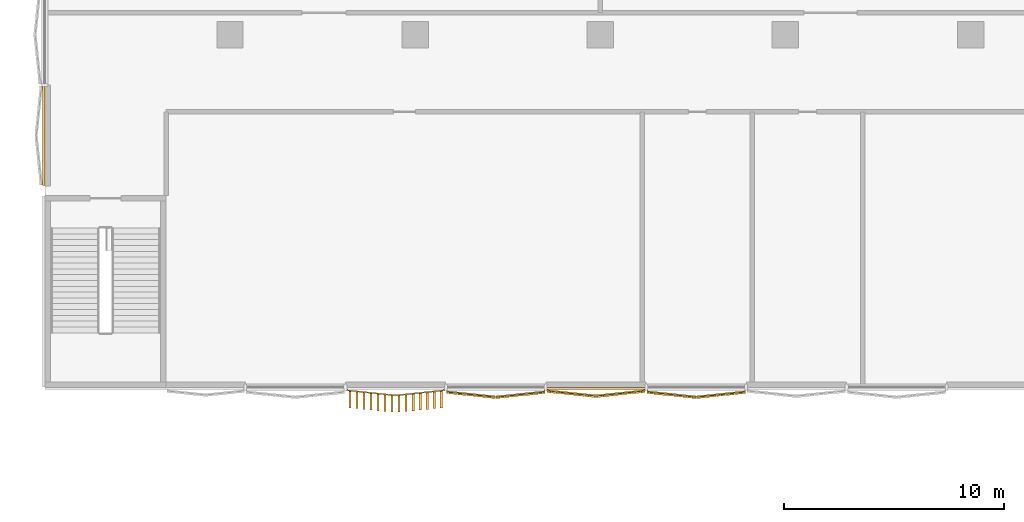
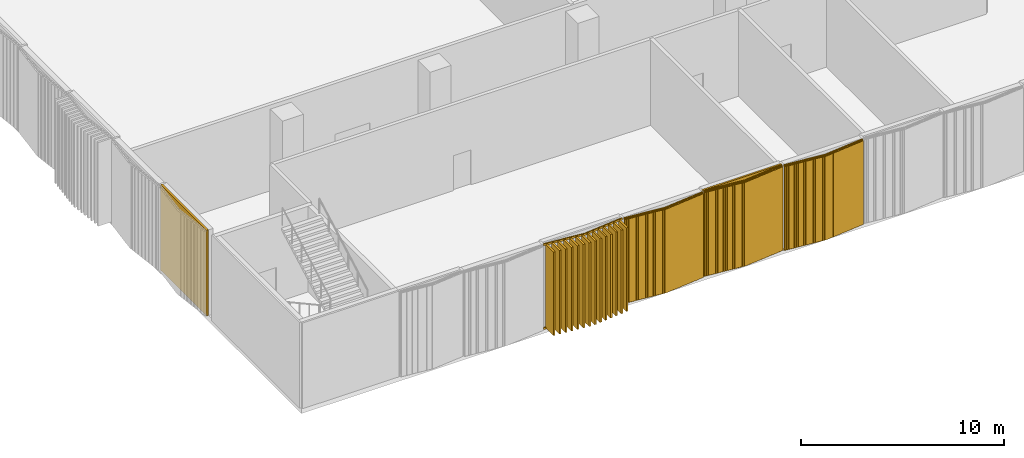
# One storey, part 21 of 31: 6 coverings.
"""IFC4 building model written with IfcOpenShell, lengths in metres."""

from ifc_helpers import new_model, si_unit, direction, frame, frame_2d, origin, origin_2d, place, context, subcontext, project, spatial, rectangle, extrude, source, transform, mapped, material, layer, layer_set, type_object, element, save


model = new_model("IFC4")

# Units and contexts
model_context = context("Model", 3, precision=1e-05, world=origin(), true_north=direction((0.0, 1.0)))
body_context = subcontext(model_context, "Body", "Model", "MODEL_VIEW")
ifc_project = project(units=[si_unit("LENGTHUNIT", "METRE"), si_unit("AREAUNIT", "SQUARE_METRE"), si_unit("VOLUMEUNIT", "CUBIC_METRE"), si_unit("PLANEANGLEUNIT", "RADIAN"), si_unit("MASSUNIT", "GRAM", prefix="KILO")], contexts=[model_context])

# Site, building, storey
site_placement = place(None, origin())
site = spatial("IfcSite", under=ifc_project, at=site_placement, CompositionType="ELEMENT")
building_placement = place(site_placement, origin())
building = spatial("IfcBuilding", under=site, at=building_placement, Name="Tamra Quay Hotel Tower", CompositionType="ELEMENT")
storey_placement = place(building_placement, frame((0.0, 0.0, 14.0)))
storey = spatial("IfcBuildingStorey", under=building, at=storey_placement, Name="L02", CompositionType="ELEMENT", Elevation=14.0)

# Coverings
ifc_material_1 = material(Name="Precast concrete M60 terracotta-coloured pierced relief", Category="masonry")
ifc_layer = layer(ifc_material_1, 0.10009765625)
ifc_layer_set = layer_set([ifc_layer], Name="PIERCED RELIEF PANEL 100")
covering_type_1 = type_object("IfcCoveringType", Name="PIERCED RELIEF PANEL 100", PredefinedType="CLADDING", material=ifc_layer_set)
covering_1_placement = place(storey_placement, frame((-89.14990234375, -20.571533203125, 0.0), z_axis=(0.0, 0.0, 1.0), x_axis=(0.0, -1.0, 0.0)))
element("IfcCovering", 1, at=covering_1_placement, inside=storey, type_object=covering_type_1, Name="Relief panel L02.W.09", PredefinedType="CLADDING", context=body_context, shape_type="SweptSolid", body=[
    extrude(rectangle(XDim=4.551513671875, YDim=0.10009765625, at=origin_2d()), origin(), (0.0, 0.0, 1.0), 5.14990234375),
])
covering_2_placement = place(storey_placement, frame((-64.09619140625, -32.050048828125, 0.0), z_axis=(0.0, 0.0, 1.0), x_axis=(1.0, 0.0, 0.0)))
element("IfcCovering", 2, at=covering_2_placement, inside=storey, type_object=covering_type_1, Name="Relief panel L02.SW.15", PredefinedType="CLADDING", context=body_context, shape_type="SweptSolid", body=[
    extrude(rectangle(XDim=4.526123046875, YDim=0.10009765625, at=origin_2d()), origin(), (0.0, 0.0, 1.0), 5.14990234375),
])
ifc_material_2 = material(Name="Terracotta baguette extruded", Category="masonry")
covering_type_2 = type_object("IfcCoveringType", Name="BAGUETTE SCREEN PODIUM-SHALLOW H5150", PredefinedType="USERDEFINED", material=ifc_material_2)
shared_shape_1 = source(origin(), body_context, "Body", "SweptSolid", [
    extrude(rectangle(XDim=2.244873046875, YDim=0.06005859375, at=frame_2d((1.12255859375, 0.030029296875))), frame((-2.23876953125, -0.0576171875, -0.1201171875), z_axis=(0.0, 0.0, 1.0), x_axis=(0.994521895368, -0.104528463268, 0.0)), (0.0, 0.0, 1.0), 0.1201171875),
    extrude(rectangle(XDim=2.244873046875, YDim=0.06005859375, at=frame_2d((1.12255859375, 0.030029296875))), frame((-2.23876953125, -0.0576171875, -5.14990234375), z_axis=(0.0, 0.0, 1.0), x_axis=(0.994521895368, -0.104528463268, 0.0)), (0.0, 0.0, 1.0), 0.1201171875),
    extrude(rectangle(XDim=0.094970703125, YDim=0.10009765625, at=frame_2d((0.04736328125, 0.050048828125))), frame((-2.229248046875, -0.13330078125, -5.090087890625)), (0.0, 0.0, 1.0), 5.030029296875),
    extrude(rectangle(XDim=0.094970703125, YDim=0.10009765625, at=frame_2d((0.04736328125, 0.050048828125))), frame((-2.127685546875, -0.14404296875, -5.090087890625)), (0.0, 0.0, 1.0), 5.030029296875),
    extrude(rectangle(XDim=0.094970703125, YDim=0.10009765625, at=frame_2d((0.04736328125, 0.050048828125))), frame((-2.0263671875, -0.154541015625, -5.090087890625)), (0.0, 0.0, 1.0), 5.030029296875),
    extrude(rectangle(XDim=0.094970703125, YDim=0.10009765625, at=frame_2d((0.04736328125, 0.050048828125))), frame((-1.9248046875, -0.165283203125, -5.090087890625)), (0.0, 0.0, 1.0), 5.030029296875),
    extrude(rectangle(XDim=0.094970703125, YDim=0.10009765625, at=frame_2d((0.04736328125, 0.050048828125))), frame((-1.8232421875, -0.176025390625, -5.090087890625)), (0.0, 0.0, 1.0), 5.030029296875),
    extrude(rectangle(XDim=0.094970703125, YDim=0.10009765625, at=frame_2d((0.04736328125, 0.050048828125))), frame((-1.721923828125, -0.186767578125, -5.090087890625)), (0.0, 0.0, 1.0), 5.030029296875),
    extrude(rectangle(XDim=0.094970703125, YDim=0.10009765625, at=frame_2d((0.04736328125, 0.050048828125))), frame((-1.620361328125, -0.197265625, -5.090087890625)), (0.0, 0.0, 1.0), 5.030029296875),
    extrude(rectangle(XDim=0.094970703125, YDim=0.10009765625, at=frame_2d((0.04736328125, 0.050048828125))), frame((-1.518798828125, -0.2080078125, -5.090087890625)), (0.0, 0.0, 1.0), 5.030029296875),
    extrude(rectangle(XDim=0.094970703125, YDim=0.10009765625, at=frame_2d((0.04736328125, 0.050048828125))), frame((-1.41748046875, -0.21875, -5.090087890625)), (0.0, 0.0, 1.0), 5.030029296875),
    extrude(rectangle(XDim=0.094970703125, YDim=0.10009765625, at=frame_2d((0.04736328125, 0.050048828125))), frame((-1.31591796875, -0.229248046875, -5.090087890625)), (0.0, 0.0, 1.0), 5.030029296875),
    extrude(rectangle(XDim=0.094970703125, YDim=0.10009765625, at=frame_2d((0.04736328125, 0.050048828125))), frame((-1.214599609375, -0.239990234375, -5.090087890625)), (0.0, 0.0, 1.0), 5.030029296875),
    extrude(rectangle(XDim=0.094970703125, YDim=0.10009765625, at=frame_2d((0.04736328125, 0.050048828125))), frame((-1.113037109375, -0.250732421875, -5.090087890625)), (0.0, 0.0, 1.0), 5.030029296875),
    extrude(rectangle(XDim=0.094970703125, YDim=0.10009765625, at=frame_2d((0.04736328125, 0.050048828125))), frame((-1.011474609375, -0.26123046875, -5.090087890625)), (0.0, 0.0, 1.0), 5.030029296875),
    extrude(rectangle(XDim=0.094970703125, YDim=0.10009765625, at=frame_2d((0.04736328125, 0.050048828125))), frame((-0.91015625, -0.27197265625, -5.090087890625)), (0.0, 0.0, 1.0), 5.030029296875),
    extrude(rectangle(XDim=0.094970703125, YDim=0.10009765625, at=frame_2d((0.04736328125, 0.050048828125))), frame((-0.80859375, -0.28271484375, -5.090087890625)), (0.0, 0.0, 1.0), 5.030029296875),
    extrude(rectangle(XDim=0.094970703125, YDim=0.10009765625, at=frame_2d((0.04736328125, 0.050048828125))), frame((-0.70703125, -0.293212890625, -5.090087890625)), (0.0, 0.0, 1.0), 5.030029296875),
    extrude(rectangle(XDim=0.094970703125, YDim=0.10009765625, at=frame_2d((0.04736328125, 0.050048828125))), frame((-0.605712890625, -0.303955078125, -5.090087890625)), (0.0, 0.0, 1.0), 5.030029296875),
    extrude(rectangle(XDim=0.094970703125, YDim=0.10009765625, at=frame_2d((0.04736328125, 0.050048828125))), frame((-0.504150390625, -0.314697265625, -5.090087890625)), (0.0, 0.0, 1.0), 5.030029296875),
    extrude(rectangle(XDim=0.094970703125, YDim=0.10009765625, at=frame_2d((0.04736328125, 0.050048828125))), frame((-0.402587890625, -0.325439453125, -5.090087890625)), (0.0, 0.0, 1.0), 5.030029296875),
    extrude(rectangle(XDim=0.094970703125, YDim=0.10009765625, at=frame_2d((0.04736328125, 0.050048828125))), frame((-0.30126953125, -0.3359375, -5.090087890625)), (0.0, 0.0, 1.0), 5.030029296875),
    extrude(rectangle(XDim=0.094970703125, YDim=0.10009765625, at=frame_2d((0.04736328125, 0.050048828125))), frame((-0.19970703125, -0.3466796875, -5.090087890625)), (0.0, 0.0, 1.0), 5.030029296875),
    extrude(rectangle(XDim=0.094970703125, YDim=0.10009765625, at=frame_2d((0.04736328125, 0.050048828125))), frame((-0.09814453125, -0.357421875, -5.090087890625)), (0.0, 0.0, 1.0), 5.030029296875),
    extrude(rectangle(XDim=2.244873046875, YDim=0.06005859375, at=frame_2d((1.12255859375, 0.030029296875))), frame((0.00634765625, -0.292236328125, -0.1201171875), z_axis=(0.0, 0.0, 1.0), x_axis=(0.994521895368, 0.104528463268, 0.0)), (0.0, 0.0, 1.0), 0.1201171875),
    extrude(rectangle(XDim=2.244873046875, YDim=0.06005859375, at=frame_2d((1.12255859375, 0.030029296875))), frame((0.00634765625, -0.292236328125, -5.14990234375), z_axis=(0.0, 0.0, 1.0), x_axis=(0.994521895368, 0.104528463268, 0.0)), (0.0, 0.0, 1.0), 0.1201171875),
    extrude(rectangle(XDim=0.094970703125, YDim=0.10009765625, at=frame_2d((0.04736328125, 0.050048828125))), frame((0.003173828125, -0.357421875, -5.090087890625)), (0.0, 0.0, 1.0), 5.030029296875),
    extrude(rectangle(XDim=0.094970703125, YDim=0.10009765625, at=frame_2d((0.04736328125, 0.050048828125))), frame((0.104736328125, -0.3466796875, -5.090087890625)), (0.0, 0.0, 1.0), 5.030029296875),
    extrude(rectangle(XDim=0.094970703125, YDim=0.10009765625, at=frame_2d((0.04736328125, 0.050048828125))), frame((0.206298828125, -0.3359375, -5.090087890625)), (0.0, 0.0, 1.0), 5.030029296875),
    extrude(rectangle(XDim=0.094970703125, YDim=0.10009765625, at=frame_2d((0.04736328125, 0.050048828125))), frame((0.3076171875, -0.325439453125, -5.090087890625)), (0.0, 0.0, 1.0), 5.030029296875),
    extrude(rectangle(XDim=0.094970703125, YDim=0.10009765625, at=frame_2d((0.04736328125, 0.050048828125))), frame((0.4091796875, -0.314697265625, -5.090087890625)), (0.0, 0.0, 1.0), 5.030029296875),
    extrude(rectangle(XDim=0.094970703125, YDim=0.10009765625, at=frame_2d((0.04736328125, 0.050048828125))), frame((0.510498046875, -0.303955078125, -5.090087890625)), (0.0, 0.0, 1.0), 5.030029296875),
    extrude(rectangle(XDim=0.094970703125, YDim=0.10009765625, at=frame_2d((0.04736328125, 0.050048828125))), frame((0.612060546875, -0.293212890625, -5.090087890625)), (0.0, 0.0, 1.0), 5.030029296875),
    extrude(rectangle(XDim=0.094970703125, YDim=0.10009765625, at=frame_2d((0.04736328125, 0.050048828125))), frame((0.713623046875, -0.28271484375, -5.090087890625)), (0.0, 0.0, 1.0), 5.030029296875),
    extrude(rectangle(XDim=0.094970703125, YDim=0.10009765625, at=frame_2d((0.04736328125, 0.050048828125))), frame((0.81494140625, -0.27197265625, -5.090087890625)), (0.0, 0.0, 1.0), 5.030029296875),
    extrude(rectangle(XDim=0.094970703125, YDim=0.10009765625, at=frame_2d((0.04736328125, 0.050048828125))), frame((0.91650390625, -0.26123046875, -5.090087890625)), (0.0, 0.0, 1.0), 5.030029296875),
    extrude(rectangle(XDim=0.094970703125, YDim=0.10009765625, at=frame_2d((0.04736328125, 0.050048828125))), frame((1.01806640625, -0.250732421875, -5.090087890625)), (0.0, 0.0, 1.0), 5.030029296875),
    extrude(rectangle(XDim=0.094970703125, YDim=0.10009765625, at=frame_2d((0.04736328125, 0.050048828125))), frame((1.119384765625, -0.239990234375, -5.090087890625)), (0.0, 0.0, 1.0), 5.030029296875),
    extrude(rectangle(XDim=0.094970703125, YDim=0.10009765625, at=frame_2d((0.04736328125, 0.050048828125))), frame((1.220947265625, -0.229248046875, -5.090087890625)), (0.0, 0.0, 1.0), 5.030029296875),
    extrude(rectangle(XDim=0.094970703125, YDim=0.10009765625, at=frame_2d((0.04736328125, 0.050048828125))), frame((1.322509765625, -0.21875, -5.090087890625)), (0.0, 0.0, 1.0), 5.030029296875),
    extrude(rectangle(XDim=0.094970703125, YDim=0.10009765625, at=frame_2d((0.04736328125, 0.050048828125))), frame((1.423828125, -0.2080078125, -5.090087890625)), (0.0, 0.0, 1.0), 5.030029296875),
    extrude(rectangle(XDim=0.094970703125, YDim=0.10009765625, at=frame_2d((0.04736328125, 0.050048828125))), frame((1.525390625, -0.197265625, -5.090087890625)), (0.0, 0.0, 1.0), 5.030029296875),
    extrude(rectangle(XDim=0.094970703125, YDim=0.10009765625, at=frame_2d((0.04736328125, 0.050048828125))), frame((1.626953125, -0.186767578125, -5.090087890625)), (0.0, 0.0, 1.0), 5.030029296875),
    extrude(rectangle(XDim=0.094970703125, YDim=0.10009765625, at=frame_2d((0.04736328125, 0.050048828125))), frame((1.728271484375, -0.176025390625, -5.090087890625)), (0.0, 0.0, 1.0), 5.030029296875),
    extrude(rectangle(XDim=0.094970703125, YDim=0.10009765625, at=frame_2d((0.04736328125, 0.050048828125))), frame((1.829833984375, -0.165283203125, -5.090087890625)), (0.0, 0.0, 1.0), 5.030029296875),
    extrude(rectangle(XDim=0.094970703125, YDim=0.10009765625, at=frame_2d((0.04736328125, 0.050048828125))), frame((1.931396484375, -0.154541015625, -5.090087890625)), (0.0, 0.0, 1.0), 5.030029296875),
    extrude(rectangle(XDim=0.094970703125, YDim=0.10009765625, at=frame_2d((0.04736328125, 0.050048828125))), frame((2.03271484375, -0.14404296875, -5.090087890625)), (0.0, 0.0, 1.0), 5.030029296875),
    extrude(rectangle(XDim=0.094970703125, YDim=0.10009765625, at=frame_2d((0.04736328125, 0.050048828125))), frame((2.13427734375, -0.13330078125, -5.090087890625)), (0.0, 0.0, 1.0), 5.030029296875),
])
for number, where, z_axis, x_axis, name in (
    (3, (-68.642333984375, -32.14794921875, 5.14990234375), (0.0, 0.0, 1.0), (1.0, 0.0, 0.0), "Baguette screen L02.SW.f01"),
    (4, (-59.550048828125, -32.14794921875, 5.14990234375), (0.0, 0.0, 1.0), (1.0, 0.0, 0.0), "Baguette screen L02.SW.f02"),
):
    element("IfcCovering", number, at=place(storey_placement, frame(where, z_axis=z_axis, x_axis=x_axis)), inside=storey, type_object=covering_type_2, Name=name, ObjectType="BAGUETTE SCREEN", PredefinedType="USERDEFINED", context=body_context, shape_type="MappedRepresentation", body=[
        mapped(shared_shape_1, transform((0.0, 0.0, 0.0), scale=1.0)),
    ])
covering_type_3 = type_object("IfcCoveringType", Name="BAGUETTE SCREEN SW-DEEP H5150", PredefinedType="USERDEFINED", material=ifc_material_2)
shared_shape_2 = source(origin(), body_context, "Body", "SweptSolid", [
    extrude(rectangle(XDim=2.244873046875, YDim=0.06005859375, at=frame_2d((1.12255859375, 0.030029296875))), frame((-2.23876953125, -0.0576171875, -0.1201171875), z_axis=(0.0, 0.0, 1.0), x_axis=(0.994521895368, -0.104528463268, 0.0)), (0.0, 0.0, 1.0), 0.1201171875),
    extrude(rectangle(XDim=2.244873046875, YDim=0.06005859375, at=frame_2d((1.12255859375, 0.030029296875))), frame((-2.23876953125, -0.0576171875, -5.14990234375), z_axis=(0.0, 0.0, 1.0), x_axis=(0.994521895368, -0.104528463268, 0.0)), (0.0, 0.0, 1.0), 0.1201171875),
    extrude(rectangle(XDim=0.10009765625, YDim=0.780029296875, at=frame_2d((0.050048828125, 0.39013671875))), frame((-2.123046875, -0.82470703125, -5.090087890625)), (0.0, 0.0, 1.0), 5.030029296875),
    extrude(rectangle(XDim=0.10009765625, YDim=0.780029296875, at=frame_2d((0.050048828125, 0.39013671875))), frame((-1.80419921875, -0.8583984375, -5.090087890625)), (0.0, 0.0, 1.0), 5.030029296875),
    extrude(rectangle(XDim=0.10009765625, YDim=0.780029296875, at=frame_2d((0.050048828125, 0.39013671875))), frame((-1.485107421875, -0.891845703125, -5.090087890625)), (0.0, 0.0, 1.0), 5.030029296875),
    extrude(rectangle(XDim=0.10009765625, YDim=0.780029296875, at=frame_2d((0.050048828125, 0.39013671875))), frame((-1.166259765625, -0.92529296875, -5.090087890625)), (0.0, 0.0, 1.0), 5.030029296875),
    extrude(rectangle(XDim=0.10009765625, YDim=0.780029296875, at=frame_2d((0.050048828125, 0.39013671875))), frame((-0.847412109375, -0.958740234375, -5.090087890625)), (0.0, 0.0, 1.0), 5.030029296875),
    extrude(rectangle(XDim=0.10009765625, YDim=0.780029296875, at=frame_2d((0.050048828125, 0.39013671875))), frame((-0.5283203125, -0.992431640625, -5.090087890625)), (0.0, 0.0, 1.0), 5.030029296875),
    extrude(rectangle(XDim=0.10009765625, YDim=0.780029296875, at=frame_2d((0.050048828125, 0.39013671875))), frame((-0.20947265625, -1.02587890625, -5.090087890625)), (0.0, 0.0, 1.0), 5.030029296875),
    extrude(rectangle(XDim=2.244873046875, YDim=0.06005859375, at=frame_2d((1.12255859375, 0.030029296875))), frame((0.00634765625, -0.292236328125, -0.1201171875), z_axis=(0.0, 0.0, 1.0), x_axis=(0.994521895368, 0.104528463268, 0.0)), (0.0, 0.0, 1.0), 0.1201171875),
    extrude(rectangle(XDim=2.244873046875, YDim=0.06005859375, at=frame_2d((1.12255859375, 0.030029296875))), frame((0.00634765625, -0.292236328125, -5.14990234375), z_axis=(0.0, 0.0, 1.0), x_axis=(0.994521895368, 0.104528463268, 0.0)), (0.0, 0.0, 1.0), 0.1201171875),
    extrude(rectangle(XDim=0.10009765625, YDim=0.780029296875, at=frame_2d((0.050048828125, 0.39013671875))), frame((0.109375, -1.02587890625, -5.090087890625)), (0.0, 0.0, 1.0), 5.030029296875),
    extrude(rectangle(XDim=0.10009765625, YDim=0.780029296875, at=frame_2d((0.050048828125, 0.39013671875))), frame((0.428466796875, -0.992431640625, -5.090087890625)), (0.0, 0.0, 1.0), 5.030029296875),
    extrude(rectangle(XDim=0.10009765625, YDim=0.780029296875, at=frame_2d((0.050048828125, 0.39013671875))), frame((0.747314453125, -0.958740234375, -5.090087890625)), (0.0, 0.0, 1.0), 5.030029296875),
    extrude(rectangle(XDim=0.10009765625, YDim=0.780029296875, at=frame_2d((0.050048828125, 0.39013671875))), frame((1.066162109375, -0.92529296875, -5.090087890625)), (0.0, 0.0, 1.0), 5.030029296875),
    extrude(rectangle(XDim=0.10009765625, YDim=0.780029296875, at=frame_2d((0.050048828125, 0.39013671875))), frame((1.38525390625, -0.891845703125, -5.090087890625)), (0.0, 0.0, 1.0), 5.030029296875),
    extrude(rectangle(XDim=0.10009765625, YDim=0.780029296875, at=frame_2d((0.050048828125, 0.39013671875))), frame((1.7041015625, -0.8583984375, -5.090087890625)), (0.0, 0.0, 1.0), 5.030029296875),
    extrude(rectangle(XDim=0.10009765625, YDim=0.780029296875, at=frame_2d((0.050048828125, 0.39013671875))), frame((2.02294921875, -0.82470703125, -5.090087890625)), (0.0, 0.0, 1.0), 5.030029296875),
])
covering_3_placement = place(storey_placement, frame((-73.1884765625, -32.10009765625, 5.14990234375), z_axis=(0.0, 0.0, 1.0), x_axis=(1.0, 0.0, 0.0)))
element("IfcCovering", 5, at=covering_3_placement, inside=storey, type_object=covering_type_3, Name="Baguette screen wing.L02.SW.13", ObjectType="BAGUETTE SCREEN", PredefinedType="USERDEFINED", context=body_context, shape_type="MappedRepresentation", body=[
    mapped(shared_shape_2, transform((0.0, 0.0, 0.0), scale=1.0)),
])
covering_type_4 = type_object("IfcCoveringType", Name="BAGUETTE SCREEN SW-SHALLOW H5150", PredefinedType="USERDEFINED", material=ifc_material_2)
shared_shape_3 = source(origin(), body_context, "Body", "SweptSolid", [
    extrude(rectangle(XDim=2.244873046875, YDim=0.06005859375, at=frame_2d((1.12255859375, 0.030029296875))), frame((-2.23876953125, -0.0576171875, -0.1201171875), z_axis=(0.0, 0.0, 1.0), x_axis=(0.994521895368, -0.104528463268, 0.0)), (0.0, 0.0, 1.0), 0.1201171875),
    extrude(rectangle(XDim=2.244873046875, YDim=0.06005859375, at=frame_2d((1.12255859375, 0.030029296875))), frame((-2.23876953125, -0.0576171875, -5.14990234375), z_axis=(0.0, 0.0, 1.0), x_axis=(0.994521895368, -0.104528463268, 0.0)), (0.0, 0.0, 1.0), 0.1201171875),
    extrude(rectangle(XDim=0.094970703125, YDim=0.10009765625, at=frame_2d((0.04736328125, 0.050048828125))), frame((-2.229248046875, -0.13330078125, -5.090087890625)), (0.0, 0.0, 1.0), 5.030029296875),
    extrude(rectangle(XDim=0.094970703125, YDim=0.10009765625, at=frame_2d((0.04736328125, 0.050048828125))), frame((-2.127685546875, -0.14404296875, -5.090087890625)), (0.0, 0.0, 1.0), 5.030029296875),
    extrude(rectangle(XDim=0.094970703125, YDim=0.10009765625, at=frame_2d((0.04736328125, 0.050048828125))), frame((-2.0263671875, -0.154541015625, -5.090087890625)), (0.0, 0.0, 1.0), 5.030029296875),
    extrude(rectangle(XDim=0.094970703125, YDim=0.10009765625, at=frame_2d((0.04736328125, 0.050048828125))), frame((-1.9248046875, -0.165283203125, -5.090087890625)), (0.0, 0.0, 1.0), 5.030029296875),
    extrude(rectangle(XDim=0.094970703125, YDim=0.10009765625, at=frame_2d((0.04736328125, 0.050048828125))), frame((-1.8232421875, -0.176025390625, -5.090087890625)), (0.0, 0.0, 1.0), 5.030029296875),
    extrude(rectangle(XDim=0.094970703125, YDim=0.10009765625, at=frame_2d((0.04736328125, 0.050048828125))), frame((-1.721923828125, -0.186767578125, -5.090087890625)), (0.0, 0.0, 1.0), 5.030029296875),
    extrude(rectangle(XDim=0.094970703125, YDim=0.10009765625, at=frame_2d((0.04736328125, 0.050048828125))), frame((-1.620361328125, -0.197265625, -5.090087890625)), (0.0, 0.0, 1.0), 5.030029296875),
    extrude(rectangle(XDim=0.094970703125, YDim=0.10009765625, at=frame_2d((0.04736328125, 0.050048828125))), frame((-1.518798828125, -0.2080078125, -5.090087890625)), (0.0, 0.0, 1.0), 5.030029296875),
    extrude(rectangle(XDim=0.094970703125, YDim=0.10009765625, at=frame_2d((0.04736328125, 0.050048828125))), frame((-1.41748046875, -0.21875, -5.090087890625)), (0.0, 0.0, 1.0), 5.030029296875),
    extrude(rectangle(XDim=0.094970703125, YDim=0.10009765625, at=frame_2d((0.04736328125, 0.050048828125))), frame((-1.31591796875, -0.229248046875, -5.090087890625)), (0.0, 0.0, 1.0), 5.030029296875),
    extrude(rectangle(XDim=0.094970703125, YDim=0.10009765625, at=frame_2d((0.04736328125, 0.050048828125))), frame((-1.214599609375, -0.239990234375, -5.090087890625)), (0.0, 0.0, 1.0), 5.030029296875),
    extrude(rectangle(XDim=0.094970703125, YDim=0.10009765625, at=frame_2d((0.04736328125, 0.050048828125))), frame((-1.113037109375, -0.250732421875, -5.090087890625)), (0.0, 0.0, 1.0), 5.030029296875),
    extrude(rectangle(XDim=0.094970703125, YDim=0.10009765625, at=frame_2d((0.04736328125, 0.050048828125))), frame((-1.011474609375, -0.26123046875, -5.090087890625)), (0.0, 0.0, 1.0), 5.030029296875),
    extrude(rectangle(XDim=0.094970703125, YDim=0.10009765625, at=frame_2d((0.04736328125, 0.050048828125))), frame((-0.91015625, -0.27197265625, -5.090087890625)), (0.0, 0.0, 1.0), 5.030029296875),
    extrude(rectangle(XDim=0.094970703125, YDim=0.10009765625, at=frame_2d((0.04736328125, 0.050048828125))), frame((-0.80859375, -0.28271484375, -5.090087890625)), (0.0, 0.0, 1.0), 5.030029296875),
    extrude(rectangle(XDim=0.094970703125, YDim=0.10009765625, at=frame_2d((0.04736328125, 0.050048828125))), frame((-0.70703125, -0.293212890625, -5.090087890625)), (0.0, 0.0, 1.0), 5.030029296875),
    extrude(rectangle(XDim=0.094970703125, YDim=0.10009765625, at=frame_2d((0.04736328125, 0.050048828125))), frame((-0.605712890625, -0.303955078125, -5.090087890625)), (0.0, 0.0, 1.0), 5.030029296875),
    extrude(rectangle(XDim=0.094970703125, YDim=0.10009765625, at=frame_2d((0.04736328125, 0.050048828125))), frame((-0.504150390625, -0.314697265625, -5.090087890625)), (0.0, 0.0, 1.0), 5.030029296875),
    extrude(rectangle(XDim=0.094970703125, YDim=0.10009765625, at=frame_2d((0.04736328125, 0.050048828125))), frame((-0.402587890625, -0.325439453125, -5.090087890625)), (0.0, 0.0, 1.0), 5.030029296875),
    extrude(rectangle(XDim=0.094970703125, YDim=0.10009765625, at=frame_2d((0.04736328125, 0.050048828125))), frame((-0.30126953125, -0.3359375, -5.090087890625)), (0.0, 0.0, 1.0), 5.030029296875),
    extrude(rectangle(XDim=0.094970703125, YDim=0.10009765625, at=frame_2d((0.04736328125, 0.050048828125))), frame((-0.19970703125, -0.3466796875, -5.090087890625)), (0.0, 0.0, 1.0), 5.030029296875),
    extrude(rectangle(XDim=0.094970703125, YDim=0.10009765625, at=frame_2d((0.04736328125, 0.050048828125))), frame((-0.09814453125, -0.357421875, -5.090087890625)), (0.0, 0.0, 1.0), 5.030029296875),
    extrude(rectangle(XDim=2.244873046875, YDim=0.06005859375, at=frame_2d((1.12255859375, 0.030029296875))), frame((0.00634765625, -0.292236328125, -0.1201171875), z_axis=(0.0, 0.0, 1.0), x_axis=(0.994521895368, 0.104528463268, 0.0)), (0.0, 0.0, 1.0), 0.1201171875),
    extrude(rectangle(XDim=2.244873046875, YDim=0.06005859375, at=frame_2d((1.12255859375, 0.030029296875))), frame((0.00634765625, -0.292236328125, -5.14990234375), z_axis=(0.0, 0.0, 1.0), x_axis=(0.994521895368, 0.104528463268, 0.0)), (0.0, 0.0, 1.0), 0.1201171875),
    extrude(rectangle(XDim=0.094970703125, YDim=0.10009765625, at=frame_2d((0.04736328125, 0.050048828125))), frame((0.003173828125, -0.357421875, -5.090087890625)), (0.0, 0.0, 1.0), 5.030029296875),
    extrude(rectangle(XDim=0.094970703125, YDim=0.10009765625, at=frame_2d((0.04736328125, 0.050048828125))), frame((0.104736328125, -0.3466796875, -5.090087890625)), (0.0, 0.0, 1.0), 5.030029296875),
    extrude(rectangle(XDim=0.094970703125, YDim=0.10009765625, at=frame_2d((0.04736328125, 0.050048828125))), frame((0.206298828125, -0.3359375, -5.090087890625)), (0.0, 0.0, 1.0), 5.030029296875),
    extrude(rectangle(XDim=0.094970703125, YDim=0.10009765625, at=frame_2d((0.04736328125, 0.050048828125))), frame((0.3076171875, -0.325439453125, -5.090087890625)), (0.0, 0.0, 1.0), 5.030029296875),
    extrude(rectangle(XDim=0.094970703125, YDim=0.10009765625, at=frame_2d((0.04736328125, 0.050048828125))), frame((0.4091796875, -0.314697265625, -5.090087890625)), (0.0, 0.0, 1.0), 5.030029296875),
    extrude(rectangle(XDim=0.094970703125, YDim=0.10009765625, at=frame_2d((0.04736328125, 0.050048828125))), frame((0.510498046875, -0.303955078125, -5.090087890625)), (0.0, 0.0, 1.0), 5.030029296875),
    extrude(rectangle(XDim=0.094970703125, YDim=0.10009765625, at=frame_2d((0.04736328125, 0.050048828125))), frame((0.612060546875, -0.293212890625, -5.090087890625)), (0.0, 0.0, 1.0), 5.030029296875),
    extrude(rectangle(XDim=0.094970703125, YDim=0.10009765625, at=frame_2d((0.04736328125, 0.050048828125))), frame((0.713623046875, -0.28271484375, -5.090087890625)), (0.0, 0.0, 1.0), 5.030029296875),
    extrude(rectangle(XDim=0.094970703125, YDim=0.10009765625, at=frame_2d((0.04736328125, 0.050048828125))), frame((0.81494140625, -0.27197265625, -5.090087890625)), (0.0, 0.0, 1.0), 5.030029296875),
    extrude(rectangle(XDim=0.094970703125, YDim=0.10009765625, at=frame_2d((0.04736328125, 0.050048828125))), frame((0.91650390625, -0.26123046875, -5.090087890625)), (0.0, 0.0, 1.0), 5.030029296875),
    extrude(rectangle(XDim=0.094970703125, YDim=0.10009765625, at=frame_2d((0.04736328125, 0.050048828125))), frame((1.01806640625, -0.250732421875, -5.090087890625)), (0.0, 0.0, 1.0), 5.030029296875),
    extrude(rectangle(XDim=0.094970703125, YDim=0.10009765625, at=frame_2d((0.04736328125, 0.050048828125))), frame((1.119384765625, -0.239990234375, -5.090087890625)), (0.0, 0.0, 1.0), 5.030029296875),
    extrude(rectangle(XDim=0.094970703125, YDim=0.10009765625, at=frame_2d((0.04736328125, 0.050048828125))), frame((1.220947265625, -0.229248046875, -5.090087890625)), (0.0, 0.0, 1.0), 5.030029296875),
    extrude(rectangle(XDim=0.094970703125, YDim=0.10009765625, at=frame_2d((0.04736328125, 0.050048828125))), frame((1.322509765625, -0.21875, -5.090087890625)), (0.0, 0.0, 1.0), 5.030029296875),
    extrude(rectangle(XDim=0.094970703125, YDim=0.10009765625, at=frame_2d((0.04736328125, 0.050048828125))), frame((1.423828125, -0.2080078125, -5.090087890625)), (0.0, 0.0, 1.0), 5.030029296875),
    extrude(rectangle(XDim=0.094970703125, YDim=0.10009765625, at=frame_2d((0.04736328125, 0.050048828125))), frame((1.525390625, -0.197265625, -5.090087890625)), (0.0, 0.0, 1.0), 5.030029296875),
    extrude(rectangle(XDim=0.094970703125, YDim=0.10009765625, at=frame_2d((0.04736328125, 0.050048828125))), frame((1.626953125, -0.186767578125, -5.090087890625)), (0.0, 0.0, 1.0), 5.030029296875),
    extrude(rectangle(XDim=0.094970703125, YDim=0.10009765625, at=frame_2d((0.04736328125, 0.050048828125))), frame((1.728271484375, -0.176025390625, -5.090087890625)), (0.0, 0.0, 1.0), 5.030029296875),
    extrude(rectangle(XDim=0.094970703125, YDim=0.10009765625, at=frame_2d((0.04736328125, 0.050048828125))), frame((1.829833984375, -0.165283203125, -5.090087890625)), (0.0, 0.0, 1.0), 5.030029296875),
    extrude(rectangle(XDim=0.094970703125, YDim=0.10009765625, at=frame_2d((0.04736328125, 0.050048828125))), frame((1.931396484375, -0.154541015625, -5.090087890625)), (0.0, 0.0, 1.0), 5.030029296875),
    extrude(rectangle(XDim=0.094970703125, YDim=0.10009765625, at=frame_2d((0.04736328125, 0.050048828125))), frame((2.03271484375, -0.14404296875, -5.090087890625)), (0.0, 0.0, 1.0), 5.030029296875),
    extrude(rectangle(XDim=0.094970703125, YDim=0.10009765625, at=frame_2d((0.04736328125, 0.050048828125))), frame((2.13427734375, -0.13330078125, -5.090087890625)), (0.0, 0.0, 1.0), 5.030029296875),
])
covering_4_placement = place(storey_placement, frame((-64.09619140625, -32.10009765625, 5.14990234375), z_axis=(0.0, 0.0, 1.0), x_axis=(1.0, 0.0, 0.0)))
element("IfcCovering", 6, at=covering_4_placement, inside=storey, type_object=covering_type_4, Name="Baguette screen wing.L02.SW.15", ObjectType="BAGUETTE SCREEN", PredefinedType="USERDEFINED", context=body_context, shape_type="MappedRepresentation", body=[
    mapped(shared_shape_3, transform((0.0, 0.0, 0.0), scale=1.0)),
])

save(model, "model.ifc")
